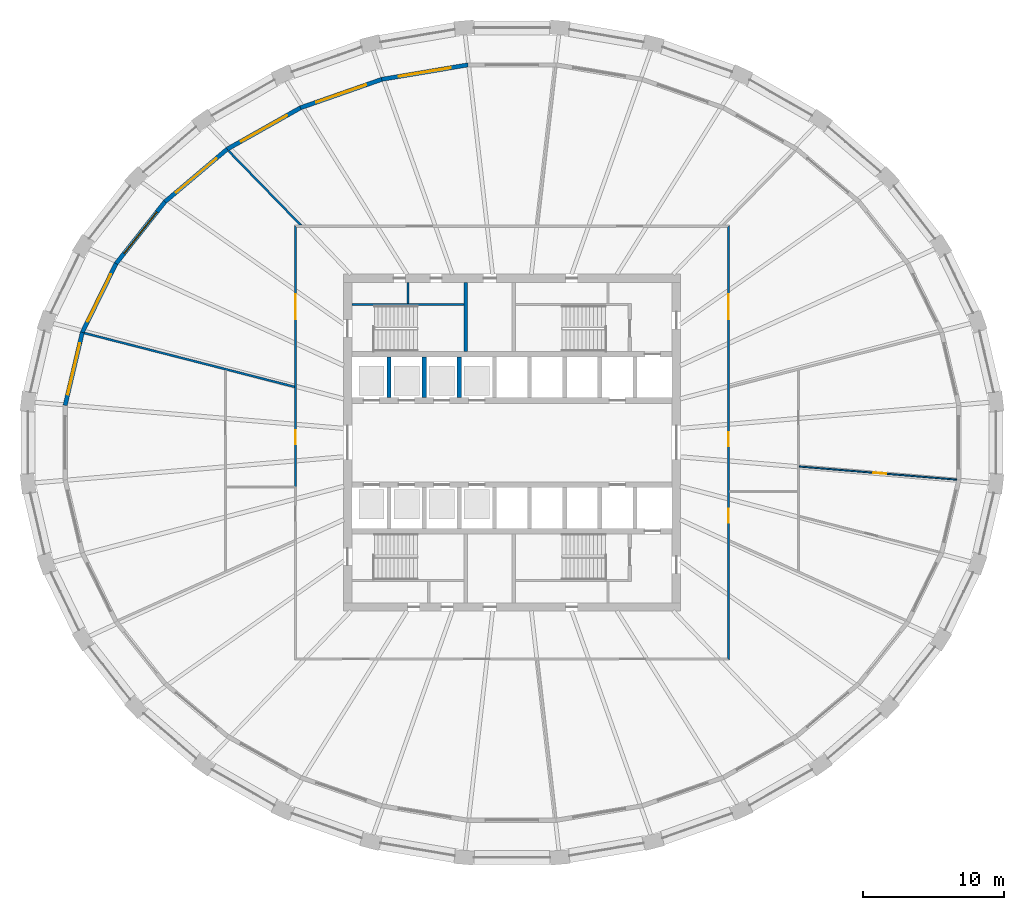
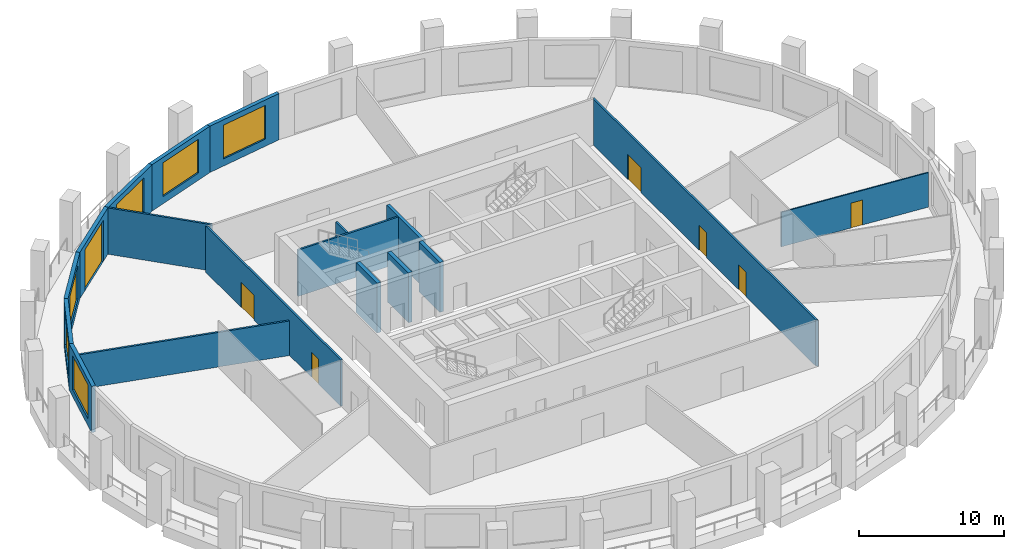
# One storey, part 5 of 10: 18 walls, 7 doors, 6 windows, 13 openings.
"""IFC4 building model written with IfcOpenShell, lengths in metres."""

from ifc_helpers import new_model, si_unit, direction, frame, frame_2d, origin, place, context, subcontext, project, spatial, polyline, rectangle, outline, extrude, material, layer, layer_set, type_object, element, fill, save


model = new_model("IFC4")

# Units and contexts
model_context = context("Model", 3, precision=1e-05, world=origin(), true_north=direction((0.0, 1.0)))
body_context = subcontext(model_context, "Body", "Model", "MODEL_VIEW")
ifc_project = project(units=[si_unit("LENGTHUNIT", "METRE"), si_unit("AREAUNIT", "SQUARE_METRE"), si_unit("VOLUMEUNIT", "CUBIC_METRE"), si_unit("PLANEANGLEUNIT", "RADIAN"), si_unit("MASSUNIT", "GRAM", prefix="KILO")], contexts=[model_context])

# Site, building, storey
site_placement = place(None, origin())
site = spatial("IfcSite", under=ifc_project, at=site_placement, CompositionType="ELEMENT")
building_placement = place(site_placement, origin())
building = spatial("IfcBuilding", under=site, at=building_placement, Name="Halqa Exchange Tower", CompositionType="ELEMENT")
storey_placement = place(building_placement, frame((0.0, 0.0, 129.699951171875)))
storey = spatial("IfcBuildingStorey", under=building, at=storey_placement, Name="L29", CompositionType="ELEMENT", Elevation=129.699951171875)

# Wall
ifc_material_1 = material(Name="Fire-rated gypsum board")
ifc_layer_1 = layer(ifc_material_1, 0.14990234375)
ifc_layer_set_1 = layer_set([ifc_layer_1], Name="Fire-rated gypsum board")
wall_type_1 = type_object("IfcWallType", Name="Fire partition EI 60 150", PredefinedType="PARTITIONING", material=ifc_layer_set_1)
wall_1_placement = place(storey_placement, frame((-30.434814453125, 7.794677734375, 0.0), z_axis=(0.0, 0.0, 1.0), x_axis=(0.968826155352, -0.247741560312, 0.0)))
element("IfcWall", 1, at=wall_1_placement, inside=storey, type_object=wall_type_1, Name="L29-PWL-001", PredefinedType="PARTITIONING", context=body_context, shape_type="SweptSolid", body=[
    extrude(outline(polyline([(0.0, -0.074951171875), (1.737060546875, -0.074951171875), (3.47412109375, -0.074951171875), (5.211181640625, -0.074951171875), (6.9482421875, -0.074951171875), (8.685302734375, -0.074951171875), (10.42236328125, -0.074951171875), (10.42822265625, -0.073486328125), (10.428466796875, -0.074951171875), (12.105712890625, -0.074951171875), (13.78271484375, -0.074951171875), (15.4599609375, -0.074951171875), (15.4599609375, -0.073486328125), (15.422119140625, 0.074951171875), (13.495849609375, 0.074951171875), (11.56982421875, 0.074951171875), (9.643798828125, 0.074951171875), (7.7177734375, 0.074951171875), (5.791748046875, 0.074951171875), (3.86572265625, 0.074951171875), (1.939453125, 0.074951171875), (0.013427734375, 0.074951171875), (0.0, 0.010498046875), (0.0, -0.074951171875)])), origin(), (0.0, 0.0, 1.0), 2.91015625),
])

# Wall, openings, doors
wall_2_placement = place(storey_placement, frame((-15.39990234375, -3.159912109375, 0.0), z_axis=(0.0, 0.0, 1.0), x_axis=(0.0, 1.0, 0.0)))
wall_2 = element("IfcWall", 2, at=wall_2_placement, inside=storey, type_object=wall_type_1, Name="L29-PWL-008", PredefinedType="PARTITIONING", context=body_context, shape_type="SweptSolid", body=[
    extrude(outline(polyline([(0.0, -0.074951171875), (1.848388671875, -0.074951171875), (3.697021484375, -0.074951171875), (5.54541015625, -0.074951171875), (7.39404296875, -0.074951171875), (9.242431640625, -0.074951171875), (11.0908203125, -0.074951171875), (12.939453125, -0.074951171875), (14.787841796875, -0.074951171875), (16.636474609375, -0.074951171875), (18.48486328125, -0.074951171875), (18.634765625, 0.074951171875), (16.771240234375, 0.074951171875), (14.90771484375, 0.074951171875), (13.04443359375, 0.074951171875), (11.180908203125, 0.074951171875), (9.3173828125, 0.074951171875), (7.453857421875, 0.074951171875), (5.59033203125, 0.074951171875), (3.72705078125, 0.074951171875), (1.863525390625, 0.074951171875), (0.0, 0.074951171875), (0.0, -0.074951171875)])), origin(), (0.0, 0.0, 1.0), 3.900146484375),
])
opening_1_placement = place(wall_2_placement, frame((11.93505859375, 0.0, 0.0)))
opening_1 = element("IfcOpeningElement", 3, at=opening_1_placement, cuts=wall_2, Name="Opening 09-03", PredefinedType="OPENING", context=body_context, shape_type="SweptSolid", body=[
    extrude(rectangle(XDim=1.800048828125, YDim=2.10009765625, at=frame_2d((0.89990234375, 1.050048828125))), frame((0.0, 0.0869140625, 0.0), z_axis=(0.0, -1.0, 0.0), x_axis=(1.0, 0.0, 0.0)), (0.0, 0.0, 1.0), 0.173828125),
])
opening_2_placement = place(wall_2_placement, frame((3.054931640625, 0.0, 0.0)))
opening_2 = element("IfcOpeningElement", 4, at=opening_2_placement, cuts=wall_2, Name="Opening 09-05", PredefinedType="OPENING", context=body_context, shape_type="SweptSolid", body=[
    extrude(rectangle(XDim=1.0, YDim=2.10009765625, at=frame_2d((0.5, 1.050048828125))), frame((0.0, 0.0869140625, 0.0), z_axis=(0.0, -1.0, 0.0), x_axis=(1.0, 0.0, 0.0)), (0.0, 0.0, 1.0), 0.173828125),
])
ifc_material_2 = material(Name="Steel fire door leaf", Category="steel")
door_type_1 = type_object("IfcDoorType", Name="Fire door FD30S 1000 x 2100", OperationType="SINGLE_SWING_LEFT", PredefinedType="DOOR", material=ifc_material_2)
door_1_placement = place(opening_2_placement, origin())
door_1 = element("IfcDoor", 5, at=door_1_placement, inside=storey, type_object=door_type_1, Name="L29-IDR-005", OperationType="SINGLE_SWING_LEFT", OverallHeight=2.10009765625, OverallWidth=1.0, PredefinedType="DOOR", context=body_context, shape_type="SweptSolid", body=[
    extrude(rectangle(XDim=1.0, YDim=2.10009765625, at=frame_2d((0.5, 1.050048828125))), frame((0.0, 0.02490234375, 0.0), z_axis=(0.0, -1.0, 0.0), x_axis=(1.0, 0.0, 0.0)), (0.0, 0.0, 1.0), 0.050048828125),
])
fill(opening_2, door_1)
door_type_2 = type_object("IfcDoorType", Name="Fire door FD30S double 1800 x 2100", OperationType="DOUBLE_DOOR_SINGLE_SWING", PredefinedType="DOOR", material=ifc_material_2)
door_2_placement = place(opening_1_placement, origin())
door_2 = element("IfcDoor", 6, at=door_2_placement, inside=storey, type_object=door_type_2, Name="L29-IDR-003", OperationType="DOUBLE_DOOR_SINGLE_SWING", OverallHeight=2.10009765625, OverallWidth=1.800048828125, PredefinedType="DOOR", context=body_context, shape_type="SweptSolid", body=[
    extrude(rectangle(XDim=1.800048828125, YDim=2.10009765625, at=frame_2d((0.89990234375, 1.050048828125))), frame((0.0, 0.02490234375, 0.0), z_axis=(0.0, -1.0, 0.0), x_axis=(1.0, 0.0, 0.0)), (0.0, 0.0, 1.0), 0.050048828125),
])
fill(opening_1, door_2)

# Wall
wall_3_placement = place(storey_placement, frame((-14.982421875, 15.4228515625, 0.0), z_axis=(0.0, 0.0, 1.0), x_axis=(-0.69739829169, 0.716683767604, 0.0)))
element("IfcWall", 7, at=wall_3_placement, inside=storey, type_object=wall_type_1, Name="L29-PWL-010", PredefinedType="PARTITIONING", context=body_context, shape_type="SweptSolid", body=[
    extrude(outline(polyline([(7.430908203125, 0.074951171875), (5.609619140625, 0.074951171875), (3.788330078125, 0.074951171875), (1.967041015625, 0.074951171875), (0.145751953125, 0.074951171875), (0.0, -0.07470703125), (0.0, -0.074951171875), (1.857666015625, -0.074951171875), (3.71533203125, -0.074951171875), (5.5732421875, -0.074951171875), (7.430908203125, -0.074951171875), (7.430908203125, 0.074951171875)])), origin(), (0.0, 0.0, 1.0), 3.900146484375),
])

# Wall, openings, doors
wall_4_placement = place(storey_placement, frame((15.39990234375, -15.47509765625, 0.0), z_axis=(0.0, 0.0, 1.0), x_axis=(0.0, 1.0, 0.0)))
wall_4 = element("IfcWall", 8, at=wall_4_placement, inside=storey, type_object=wall_type_1, Name="L29-PWL-013", PredefinedType="PARTITIONING", context=body_context, shape_type="SweptSolid", body=[
    extrude(outline(polyline([(0.000244140625, -0.074951171875), (1.9345703125, -0.074951171875), (3.868896484375, -0.074951171875), (5.80322265625, -0.074951171875), (7.73779296875, -0.074951171875), (9.672119140625, -0.074951171875), (11.6064453125, -0.074951171875), (13.540771484375, -0.074951171875), (15.47509765625, -0.074951171875), (17.409423828125, -0.074951171875), (19.34375, -0.074951171875), (21.278076171875, -0.074951171875), (23.21240234375, -0.074951171875), (25.14697265625, -0.074951171875), (27.081298828125, -0.074951171875), (29.015625, -0.074951171875), (30.949951171875, -0.074951171875), (30.800048828125, 0.074951171875), (28.884521484375, 0.074951171875), (26.96875, 0.074951171875), (25.05322265625, 0.074951171875), (23.1376953125, 0.074951171875), (21.221923828125, 0.074951171875), (19.306396484375, 0.074951171875), (17.390625, 0.074951171875), (15.47509765625, 0.074951171875), (13.5595703125, 0.074951171875), (11.643798828125, 0.074951171875), (9.728271484375, 0.074951171875), (7.8125, 0.074951171875), (5.89697265625, 0.074951171875), (3.9814453125, 0.074951171875), (2.065673828125, 0.074951171875), (0.150146484375, 0.074951171875), (0.000244140625, -0.074951171875)])), origin(), (0.0, 0.0, 1.0), 3.900146484375),
])
opening_3_placement = place(wall_4_placement, frame((9.760009765625, 0.0, 0.0)))
opening_3 = element("IfcOpeningElement", 9, at=opening_3_placement, cuts=wall_4, Name="Opening 09-09", PredefinedType="OPENING", context=body_context, shape_type="SweptSolid", body=[
    extrude(rectangle(XDim=1.0, YDim=2.10009765625, at=frame_2d((0.5, 1.050048828125))), frame((0.0, 0.0869140625, 0.0), z_axis=(0.0, -1.0, 0.0), x_axis=(1.0, 0.0, 0.0)), (0.0, 0.0, 1.0), 0.173828125),
])
opening_4_placement = place(wall_4_placement, frame((15.2099609375, 0.0, 0.0)))
opening_4 = element("IfcOpeningElement", 10, at=opening_4_placement, cuts=wall_4, Name="Opening 09-10", PredefinedType="OPENING", context=body_context, shape_type="SweptSolid", body=[
    extrude(rectangle(XDim=1.0, YDim=2.10009765625, at=frame_2d((0.5, 1.050048828125))), frame((0.0, 0.0869140625, 0.0), z_axis=(0.0, -1.0, 0.0), x_axis=(1.0, 0.0, 0.0)), (0.0, 0.0, 1.0), 0.173828125),
])
opening_5_placement = place(wall_4_placement, frame((24.25, 0.0, 0.0)))
opening_5 = element("IfcOpeningElement", 11, at=opening_5_placement, cuts=wall_4, Name="Opening 09-11", PredefinedType="OPENING", context=body_context, shape_type="SweptSolid", body=[
    extrude(rectangle(XDim=1.800048828125, YDim=2.10009765625, at=frame_2d((0.89990234375, 1.050048828125))), frame((0.0, 0.0869140625, 0.0), z_axis=(0.0, -1.0, 0.0), x_axis=(1.0, 0.0, 0.0)), (0.0, 0.0, 1.0), 0.173828125),
])
door_3_placement = place(opening_3_placement, frame((1.0, 0.0, 0.0), z_axis=(0.0, 0.0, 1.0), x_axis=(-1.0, 0.0, 0.0)))
door_3 = element("IfcDoor", 12, at=door_3_placement, inside=storey, type_object=door_type_1, Name="L29-IDR-009", OperationType="SINGLE_SWING_LEFT", OverallHeight=2.10009765625, OverallWidth=1.0, PredefinedType="DOOR", context=body_context, shape_type="SweptSolid", body=[
    extrude(rectangle(XDim=1.0, YDim=2.10009765625, at=frame_2d((0.5, 1.050048828125))), frame((0.0, 0.02490234375, 0.0), z_axis=(0.0, -1.0, 0.0), x_axis=(1.0, 0.0, 0.0)), (0.0, 0.0, 1.0), 0.050048828125),
])
fill(opening_3, door_3)
door_4_placement = place(opening_4_placement, frame((1.0, 0.0, 0.0), z_axis=(0.0, 0.0, 1.0), x_axis=(-1.0, 0.0, 0.0)))
door_4 = element("IfcDoor", 13, at=door_4_placement, inside=storey, type_object=door_type_1, Name="L29-IDR-010", OperationType="SINGLE_SWING_RIGHT", OverallHeight=2.10009765625, OverallWidth=1.0, PredefinedType="DOOR", context=body_context, shape_type="SweptSolid", body=[
    extrude(rectangle(XDim=1.0, YDim=2.10009765625, at=frame_2d((0.5, 1.050048828125))), frame((0.0, 0.02490234375, 0.0), z_axis=(0.0, -1.0, 0.0), x_axis=(1.0, 0.0, 0.0)), (0.0, 0.0, 1.0), 0.050048828125),
])
fill(opening_4, door_4)
door_5_placement = place(opening_5_placement, frame((1.800048828125, 0.0, 0.0), z_axis=(0.0, 0.0, 1.0), x_axis=(-1.0, 0.0, 0.0)))
door_5 = element("IfcDoor", 14, at=door_5_placement, inside=storey, type_object=door_type_2, Name="L29-IDR-011", OperationType="DOUBLE_DOOR_SINGLE_SWING", OverallHeight=2.10009765625, OverallWidth=1.800048828125, PredefinedType="DOOR", context=body_context, shape_type="SweptSolid", body=[
    extrude(rectangle(XDim=1.800048828125, YDim=2.10009765625, at=frame_2d((0.89990234375, 1.050048828125))), frame((0.0, 0.02490234375, 0.0), z_axis=(0.0, -1.0, 0.0), x_axis=(1.0, 0.0, 0.0)), (0.0, 0.0, 1.0), 0.050048828125),
])
fill(opening_5, door_5)

# Wall, opening, door
ifc_material_3 = material(Name="Gypsum board")
ifc_layer_2 = layer(ifc_material_3, 0.10009765625)
ifc_layer_set_2 = layer_set([ifc_layer_2], Name="Gypsum board")
wall_type_2 = type_object("IfcWallType", Name="Partition 100 gypsum", PredefinedType="PARTITIONING", material=ifc_layer_set_2)
wall_5_placement = place(storey_placement, frame((20.4462890625, -1.703857421875, 0.0), z_axis=(0.0, 0.0, 1.0), x_axis=(0.996562664629, -0.082842353107, 0.0)))
wall_5 = element("IfcWall", 15, at=wall_5_placement, inside=storey, type_object=wall_type_2, Name="L29-PWL-020", PredefinedType="PARTITIONING", context=body_context, shape_type="SweptSolid", body=[
    extrude(outline(polyline([(0.0078125, -0.050048828125), (1.87939453125, -0.050048828125), (3.750732421875, -0.050048828125), (5.6220703125, -0.050048828125), (7.49365234375, -0.050048828125), (9.364990234375, -0.050048828125), (11.236328125, -0.050048828125), (11.239990234375, -0.026123046875), (11.239990234375, 0.050048828125), (9.36669921875, 0.050048828125), (7.493408203125, 0.050048828125), (5.6201171875, 0.050048828125), (3.74658203125, 0.050048828125), (1.873291015625, 0.050048828125), (0.0, 0.050048828125), (0.0, 0.044677734375), (0.0078125, -0.050048828125)])), origin(), (0.0, 0.0, 1.0), 2.91015625),
])
opening_6_placement = place(wall_5_placement, frame((5.29833984375, 0.0, 0.0)))
opening_6 = element("IfcOpeningElement", 16, at=opening_6_placement, cuts=wall_5, Name="Opening 09-14", PredefinedType="OPENING", context=body_context, shape_type="SweptSolid", body=[
    extrude(rectangle(XDim=0.89990234375, YDim=2.10009765625, at=frame_2d((0.449951171875, 1.050048828125))), frame((0.0, 0.06201171875, 0.0), z_axis=(0.0, -1.0, 0.0), x_axis=(1.0, 0.0, 0.0)), (0.0, 0.0, 1.0), 0.1240234375),
])
ifc_material_4 = material(Name="Timber door leaf", Category="wood")
door_type_3 = type_object("IfcDoorType", Name="Door 900 x 2100", OperationType="SINGLE_SWING_LEFT", PredefinedType="DOOR", material=ifc_material_4)
door_6_placement = place(opening_6_placement, frame((0.89990234375, 0.0, 0.0), z_axis=(0.0, 0.0, 1.0), x_axis=(-1.0, 0.0, 0.0)))
door_6 = element("IfcDoor", 17, at=door_6_placement, inside=storey, type_object=door_type_3, Name="L29-IDR-014", OperationType="SINGLE_SWING_LEFT", OverallHeight=2.10009765625, OverallWidth=0.89990234375, PredefinedType="DOOR", context=body_context, shape_type="SweptSolid", body=[
    extrude(rectangle(XDim=0.89990234375, YDim=2.10009765625, at=frame_2d((0.449951171875, 1.050048828125))), frame((0.0, 0.02490234375, 0.0), z_axis=(0.0, -1.0, 0.0), x_axis=(1.0, 0.0, 0.0)), (0.0, 0.0, 1.0), 0.050048828125),
])
fill(opening_6, door_6)

# Walls
ifc_layer_3 = layer(ifc_material_3, 0.14990234375)
ifc_layer_set_3 = layer_set([ifc_layer_3], Name="Gypsum board")
wall_type_3 = type_object("IfcWallType", Name="Penthouse riser wall 150 gypsum", PredefinedType="PARTITIONING", material=ifc_layer_set_3)
wall_6_placement = place(storey_placement, frame((-7.39990234375, 9.89990234375, 0.0), z_axis=(0.0, 0.0, 1.0), x_axis=(0.0, 1.0, 0.0)))
element("IfcWall", 18, at=wall_6_placement, inside=storey, type_object=wall_type_3, Name="Partition W7.400 N", PredefinedType="PARTITIONING", context=body_context, shape_type="SweptSolid", body=[
    extrude(rectangle(XDim=1.5, YDim=0.14990234375, at=frame_2d((0.75, 0.0))), origin(), (0.0, 0.0, 1.0), 3.900146484375),
])
ifc_material_5 = material(Name="Concrete C60/75", Category="concrete")
ifc_layer_4 = layer(ifc_material_5, 0.300048828125)
ifc_layer_set_4 = layer_set([ifc_layer_4], Name="Concrete C60/75")
wall_type_4 = type_object("IfcWallType", Name="RC core wall 300", PredefinedType="SHEAR", material=ifc_layer_set_4)
for number, where, z_axis, x_axis, name in (
    (19, (-8.75, 3.199951171875, 0.0), (0.0, 0.0, 1.0), (0.0, 1.0, 0.0), "Shaft divider N1"),
    (20, (-6.25, 3.199951171875, 0.0), (0.0, 0.0, 1.0), (0.0, 1.0, 0.0), "Shaft divider N2"),
    (21, (-3.75, 3.199951171875, 0.0), (0.0, 0.0, 1.0), (0.0, 1.0, 0.0), "Shaft divider N3"),
):
    element("IfcWall", number, at=place(storey_placement, frame(where, z_axis=z_axis, x_axis=x_axis)), inside=storey, type_object=wall_type_4, Name=name, PredefinedType="SHEAR", context=body_context, shape_type="SweptSolid", body=[
        extrude(rectangle(XDim=2.900146484375, YDim=0.300048828125, at=frame_2d((1.4501953125, 0.0))), origin(), (0.0, 0.0, 1.0), 4.199951171875),
    ])
ifc_material_6 = material(Name="Concrete C30/37", Category="concrete")
ifc_layer_5 = layer(ifc_material_6, 0.14990234375)
ifc_layer_set_5 = layer_set([ifc_layer_5], Name="Concrete C30/37")
wall_type_5 = type_object("IfcWallType", Name="RC stair wall 150 C30/37", PredefinedType="SHEAR", material=ifc_layer_set_5)
wall_7_placement = place(storey_placement, frame((-11.39990234375, 9.824951171875, 0.0), z_axis=(0.0, 0.0, 1.0), x_axis=(1.0, 0.0, 0.0)))
element("IfcWall", 22, at=wall_7_placement, inside=storey, type_object=wall_type_5, Name="Stair ST1 north wall N", PredefinedType="SHEAR", context=body_context, shape_type="SweptSolid", body=[
    extrude(rectangle(XDim=8.0, YDim=0.14990234375, at=frame_2d((4.0, 0.0))), origin(), (0.0, 0.0, 1.0), 3.900146484375),
])
ifc_layer_6 = layer(ifc_material_6, 0.25)
ifc_layer_set_6 = layer_set([ifc_layer_6], Name="Concrete C30/37")
wall_type_6 = type_object("IfcWallType", Name="RC stair wall 250 C30/37", PredefinedType="SHEAR", material=ifc_layer_set_6)
wall_8_placement = place(storey_placement, frame((-3.27490234375, 6.5, 0.0), z_axis=(0.0, 0.0, 1.0), x_axis=(0.0, 1.0, 0.0)))
element("IfcWall", 23, at=wall_8_placement, inside=storey, type_object=wall_type_6, Name="Stair ST1 east wall N", PredefinedType="SHEAR", context=body_context, shape_type="SweptSolid", body=[
    extrude(rectangle(XDim=4.89990234375, YDim=0.25, at=frame_2d((2.449951171875, 0.0))), origin(), (0.0, 0.0, 1.0), 3.900146484375),
])

# Wall, opening, window
ifc_material_7 = material(Name="Limestone cladding", Category="masonry")
ifc_layer_7 = layer(ifc_material_7, 0.0400390625)
ifc_material_8 = material(Name="Ventilated cavity")
ifc_layer_8 = layer(ifc_material_8, 0.030029296875, ventilated=True)
ifc_material_9 = material(Name="Mineral wool insulation")
ifc_layer_9 = layer(ifc_material_9, 0.10009765625)
ifc_layer_10 = layer(ifc_material_6, 0.10009765625)
ifc_material_10 = material(Name="Internal plaster")
ifc_layer_11 = layer(ifc_material_10, 0.030029296875)
ifc_layer_set_7 = layer_set([ifc_layer_7, ifc_layer_8, ifc_layer_9, ifc_layer_10, ifc_layer_11], Name="Stone-faced insulated wall 300")
wall_type_7 = type_object("IfcWallType", Name="Stone-faced insulated wall 300", PredefinedType="STANDARD", material=ifc_layer_set_7)
wall_9_placement = place(storey_placement, frame((-3.1298828125, 26.88232421875, 0.0), z_axis=(0.0, 0.0, 1.0), x_axis=(-0.9861811474, -0.165670590368, 0.0)))
wall_9 = element("IfcWall", 24, at=wall_9_placement, inside=storey, type_object=wall_type_7, Name="Glass-line wall 9", PredefinedType="STANDARD", context=body_context, shape_type="SweptSolid", body=[
    extrude(outline(polyline([(-0.012451171875, -0.14990234375), (6.23876953125, -0.14990234375), (6.21337890625, 0.14990234375), (0.012451171875, 0.14990234375), (-0.012451171875, -0.14990234375)])), origin(), (0.0, 0.0, 1.0), 3.900146484375),
])
opening_7_placement = place(wall_9_placement, frame((1.238037109375, 0.0, 0.60009765625)))
opening_7 = element("IfcOpeningElement", 25, at=opening_7_placement, cuts=wall_9, Name="Opening W-F2-09", PredefinedType="OPENING", context=body_context, shape_type="SweptSolid", body=[
    extrude(rectangle(XDim=3.75, YDim=2.85009765625, at=frame_2d((1.875, 1.425048828125))), frame((0.0, 0.162109375, 0.0), z_axis=(0.0, -1.0, 0.0), x_axis=(1.0, 0.0, 0.0)), (0.0, 0.0, 1.0), 0.323974609375),
])
ifc_material_11 = material(Name="Clear low-emissivity glass in aluminium frame", Category="aluminium")
window_type = type_object("IfcWindowType", Name="Fixed clear glazed window 3750 x 2850", PartitioningType="TRIPLE_PANEL_VERTICAL", PredefinedType="WINDOW", material=ifc_material_11)
window_1_placement = place(opening_7_placement, origin())
window_1 = element("IfcWindow", 26, at=window_1_placement, inside=storey, type_object=window_type, Name="Window 2", OverallHeight=2.85009765625, OverallWidth=3.75, PartitioningType="TRIPLE_PANEL_VERTICAL", PredefinedType="WINDOW", context=body_context, shape_type="SweptSolid", body=[
    extrude(rectangle(XDim=3.75, YDim=2.85009765625, at=frame_2d((1.875, 1.425048828125))), frame((0.0, 0.030029296875, 0.0), z_axis=(0.0, -1.0, 0.0), x_axis=(1.0, 0.0, 0.0)), (0.0, 0.0, 1.0), 0.06005859375),
])
fill(opening_7, window_1)

wall_10_placement = place(storey_placement, frame((-9.27001953125, 25.850830078125, 0.0), z_axis=(0.0, 0.0, 1.0), x_axis=(-0.943911133508, -0.330199594245, 0.0)))
wall_10 = element("IfcWall", 27, at=wall_10_placement, inside=storey, type_object=wall_type_7, Name="Glass-line wall 10", PredefinedType="STANDARD", context=body_context, shape_type="SweptSolid", body=[
    extrude(outline(polyline([(-0.0126953125, -0.14990234375), (6.14208984375, -0.14990234375), (6.115234375, 0.14990234375), (0.0126953125, 0.14990234375), (-0.0126953125, -0.14990234375)])), origin(), (0.0, 0.0, 1.0), 3.900146484375),
])
opening_8_placement = place(wall_10_placement, frame((1.189208984375, 0.0, 0.60009765625)))
opening_8 = element("IfcOpeningElement", 28, at=opening_8_placement, cuts=wall_10, Name="Opening W-F2-10", PredefinedType="OPENING", context=body_context, shape_type="SweptSolid", body=[
    extrude(rectangle(XDim=3.75, YDim=2.85009765625, at=frame_2d((1.875, 1.425048828125))), frame((0.0, 0.162109375, 0.0), z_axis=(0.0, -1.0, 0.0), x_axis=(1.0, 0.0, 0.0)), (0.0, 0.0, 1.0), 0.323974609375),
])
window_2_placement = place(opening_8_placement, origin())
window_2 = element("IfcWindow", 29, at=window_2_placement, inside=storey, type_object=window_type, Name="Window 2", OverallHeight=2.85009765625, OverallWidth=3.75, PartitioningType="TRIPLE_PANEL_VERTICAL", PredefinedType="WINDOW", context=body_context, shape_type="SweptSolid", body=[
    extrude(rectangle(XDim=3.75, YDim=2.85009765625, at=frame_2d((1.875, 1.425048828125))), frame((0.0, 0.030029296875, 0.0), z_axis=(0.0, -1.0, 0.0), x_axis=(1.0, 0.0, 0.0)), (0.0, 0.0, 1.0), 0.06005859375),
])
fill(opening_8, window_2)

wall_11_placement = place(storey_placement, frame((-15.054931640625, 23.8271484375, 0.0), z_axis=(0.0, 0.0, 1.0), x_axis=(-0.87090857883, -0.491445060327, 0.0)))
wall_11 = element("IfcWall", 30, at=wall_11_placement, inside=storey, type_object=wall_type_7, Name="Glass-line wall 11", PredefinedType="STANDARD", context=body_context, shape_type="SweptSolid", body=[
    extrude(outline(polyline([(-0.013427734375, -0.14990234375), (5.994384765625, -0.14990234375), (5.966064453125, 0.14990234375), (0.013427734375, 0.14990234375), (-0.013427734375, -0.14990234375)])), origin(), (0.0, 0.0, 1.0), 3.900146484375),
])
opening_9_placement = place(wall_11_placement, frame((1.114990234375, 0.0, 0.60009765625)))
opening_9 = element("IfcOpeningElement", 31, at=opening_9_placement, cuts=wall_11, Name="Opening W-F2-11", PredefinedType="OPENING", context=body_context, shape_type="SweptSolid", body=[
    extrude(rectangle(XDim=3.75, YDim=2.85009765625, at=frame_2d((1.875, 1.425048828125))), frame((0.0, 0.162109375, 0.0), z_axis=(0.0, -1.0, 0.0), x_axis=(1.0, 0.0, 0.0)), (0.0, 0.0, 1.0), 0.323974609375),
])
window_3_placement = place(opening_9_placement, origin())
window_3 = element("IfcWindow", 32, at=window_3_placement, inside=storey, type_object=window_type, Name="Window 2", OverallHeight=2.85009765625, OverallWidth=3.75, PartitioningType="TRIPLE_PANEL_VERTICAL", PredefinedType="WINDOW", context=body_context, shape_type="SweptSolid", body=[
    extrude(rectangle(XDim=3.75, YDim=2.85009765625, at=frame_2d((1.875, 1.425048828125))), frame((0.0, 0.030029296875, 0.0), z_axis=(0.0, -1.0, 0.0), x_axis=(1.0, 0.0, 0.0)), (0.0, 0.0, 1.0), 0.06005859375),
])
fill(opening_9, window_3)

# Wall, opening, door
wall_12_placement = place(storey_placement, frame((-20.26318359375, 20.88818359375, 0.0), z_axis=(0.0, 0.0, 1.0), x_axis=(-0.763963973896, -0.645258898884, 0.0)))
wall_12 = element("IfcWall", 33, at=wall_12_placement, inside=storey, type_object=wall_type_7, Name="Glass-line wall 12", PredefinedType="STANDARD", context=body_context, shape_type="SweptSolid", body=[
    extrude(outline(polyline([(-0.01416015625, -0.14990234375), (5.81494140625, -0.14990234375), (5.78466796875, 0.14990234375), (0.01416015625, 0.14990234375), (-0.01416015625, -0.14990234375)])), origin(), (0.0, 0.0, 1.0), 3.900146484375),
])
opening_10_placement = place(wall_12_placement, frame((1.02490234375, 0.0, 0.0)))
opening_10 = element("IfcOpeningElement", 34, at=opening_10_placement, cuts=wall_12, Name="Opening LG-F2-03", PredefinedType="OPENING", context=body_context, shape_type="SweptSolid", body=[
    extrude(rectangle(XDim=3.75, YDim=3.449951171875, at=frame_2d((1.875, 1.72509765625))), frame((0.0, 0.162109375, 0.0), z_axis=(0.0, -1.0, 0.0), x_axis=(1.0, 0.0, 0.0)), (0.0, 0.0, 1.0), 0.323974609375),
])
door_type_4 = type_object("IfcDoorType", Name="Glazed sliding loggia door 3750 x 3450", OperationType="DOUBLE_DOOR_SLIDING", PredefinedType="DOOR", material=ifc_material_11)
door_7_placement = place(opening_10_placement, origin())
door_7 = element("IfcDoor", 35, at=door_7_placement, inside=storey, type_object=door_type_4, Name="Loggia door 3", OperationType="DOUBLE_DOOR_SLIDING", OverallHeight=3.449951171875, OverallWidth=3.75, PredefinedType="DOOR", context=body_context, shape_type="SweptSolid", body=[
    extrude(rectangle(XDim=3.75, YDim=3.449951171875, at=frame_2d((1.875, 1.72509765625))), frame((0.0, 0.02490234375, 0.0), z_axis=(0.0, -1.0, 0.0), x_axis=(1.0, 0.0, 0.0)), (0.0, 0.0, 1.0), 0.050048828125),
])
fill(opening_10, door_7)

# Wall, opening, window
wall_13_placement = place(storey_placement, frame((-24.694091796875, 17.145751953125, 0.0), z_axis=(0.0, 0.0, 1.0), x_axis=(-0.620464552431, -0.784234492468, 0.0)))
wall_13 = element("IfcWall", 36, at=wall_13_placement, inside=storey, type_object=wall_type_7, Name="Glass-line wall 13", PredefinedType="STANDARD", context=body_context, shape_type="SweptSolid", body=[
    extrude(outline(polyline([(-0.01513671875, -0.14990234375), (5.63037109375, -0.14990234375), (5.59814453125, 0.14990234375), (0.01513671875, 0.14990234375), (-0.01513671875, -0.14990234375)])), origin(), (0.0, 0.0, 1.0), 3.900146484375),
])
opening_11_placement = place(wall_13_placement, frame((0.931884765625, 0.0, 0.60009765625)))
opening_11 = element("IfcOpeningElement", 37, at=opening_11_placement, cuts=wall_13, Name="Opening W-F2-13", PredefinedType="OPENING", context=body_context, shape_type="SweptSolid", body=[
    extrude(rectangle(XDim=3.75, YDim=2.85009765625, at=frame_2d((1.875, 1.425048828125))), frame((0.0, 0.162109375, 0.0), z_axis=(0.0, -1.0, 0.0), x_axis=(1.0, 0.0, 0.0)), (0.0, 0.0, 1.0), 0.323974609375),
])
window_4_placement = place(opening_11_placement, origin())
window_4 = element("IfcWindow", 38, at=window_4_placement, inside=storey, type_object=window_type, Name="Window 2", OverallHeight=2.85009765625, OverallWidth=3.75, PartitioningType="TRIPLE_PANEL_VERTICAL", PredefinedType="WINDOW", context=body_context, shape_type="SweptSolid", body=[
    extrude(rectangle(XDim=3.75, YDim=2.85009765625, at=frame_2d((1.875, 1.425048828125))), frame((0.0, 0.030029296875, 0.0), z_axis=(0.0, -1.0, 0.0), x_axis=(1.0, 0.0, 0.0)), (0.0, 0.0, 1.0), 0.06005859375),
])
fill(opening_11, window_4)

wall_14_placement = place(storey_placement, frame((-28.177490234375, 12.742919921875, 0.0), z_axis=(0.0, 0.0, 1.0), x_axis=(-0.440321465864, -0.897840189956, 0.0)))
wall_14 = element("IfcWall", 39, at=wall_14_placement, inside=storey, type_object=wall_type_7, Name="Glass-line wall 14", PredefinedType="STANDARD", context=body_context, shape_type="SweptSolid", body=[
    extrude(outline(polyline([(-0.01611328125, -0.14990234375), (5.46826171875, -0.14990234375), (5.4345703125, 0.14990234375), (0.01611328125, 0.14990234375), (-0.01611328125, -0.14990234375)])), origin(), (0.0, 0.0, 1.0), 3.900146484375),
])
opening_12_placement = place(wall_14_placement, frame((0.850830078125, 0.0, 0.60009765625)))
opening_12 = element("IfcOpeningElement", 40, at=opening_12_placement, cuts=wall_14, Name="Opening W-F2-14", PredefinedType="OPENING", context=body_context, shape_type="SweptSolid", body=[
    extrude(rectangle(XDim=3.75, YDim=2.85009765625, at=frame_2d((1.875, 1.425048828125))), frame((0.0, 0.162109375, 0.0), z_axis=(0.0, -1.0, 0.0), x_axis=(1.0, 0.0, 0.0)), (0.0, 0.0, 1.0), 0.323974609375),
])
window_5_placement = place(opening_12_placement, origin())
window_5 = element("IfcWindow", 41, at=window_5_placement, inside=storey, type_object=window_type, Name="Window 2", OverallHeight=2.85009765625, OverallWidth=3.75, PartitioningType="TRIPLE_PANEL_VERTICAL", PredefinedType="WINDOW", context=body_context, shape_type="SweptSolid", body=[
    extrude(rectangle(XDim=3.75, YDim=2.85009765625, at=frame_2d((1.875, 1.425048828125))), frame((0.0, 0.030029296875, 0.0), z_axis=(0.0, -1.0, 0.0), x_axis=(1.0, 0.0, 0.0)), (0.0, 0.0, 1.0), 0.06005859375),
])
fill(opening_12, window_5)

wall_15_placement = place(storey_placement, frame((-30.577880859375, 7.848388671875, 0.0), z_axis=(0.0, 0.0, 1.0), x_axis=(-0.229227895667, -0.973372781543, 0.0)))
wall_15 = element("IfcWall", 42, at=wall_15_placement, inside=storey, type_object=wall_type_7, Name="Glass-line wall 15", PredefinedType="STANDARD", context=body_context, shape_type="SweptSolid", body=[
    extrude(outline(polyline([(-0.016845703125, -0.14990234375), (5.357421875, -0.14990234375), (5.32275390625, 0.14990234375), (0.016845703125, 0.14990234375), (-0.016845703125, -0.14990234375)])), origin(), (0.0, 0.0, 1.0), 3.900146484375),
])
opening_13_placement = place(wall_15_placement, frame((0.795166015625, 0.0, 0.60009765625)))
opening_13 = element("IfcOpeningElement", 43, at=opening_13_placement, cuts=wall_15, Name="Opening W-F2-15", PredefinedType="OPENING", context=body_context, shape_type="SweptSolid", body=[
    extrude(rectangle(XDim=3.75, YDim=2.85009765625, at=frame_2d((1.875, 1.425048828125))), frame((0.0, 0.162109375, 0.0), z_axis=(0.0, -1.0, 0.0), x_axis=(1.0, 0.0, 0.0)), (0.0, 0.0, 1.0), 0.323974609375),
])
window_6_placement = place(opening_13_placement, origin())
window_6 = element("IfcWindow", 44, at=window_6_placement, inside=storey, type_object=window_type, Name="Window 2", OverallHeight=2.85009765625, OverallWidth=3.75, PartitioningType="TRIPLE_PANEL_VERTICAL", PredefinedType="WINDOW", context=body_context, shape_type="SweptSolid", body=[
    extrude(rectangle(XDim=3.75, YDim=2.85009765625, at=frame_2d((1.875, 1.425048828125))), frame((0.0, 0.030029296875, 0.0), z_axis=(0.0, -1.0, 0.0), x_axis=(1.0, 0.0, 0.0)), (0.0, 0.0, 1.0), 0.06005859375),
])
fill(opening_13, window_6)

save(model, "model.ifc")
